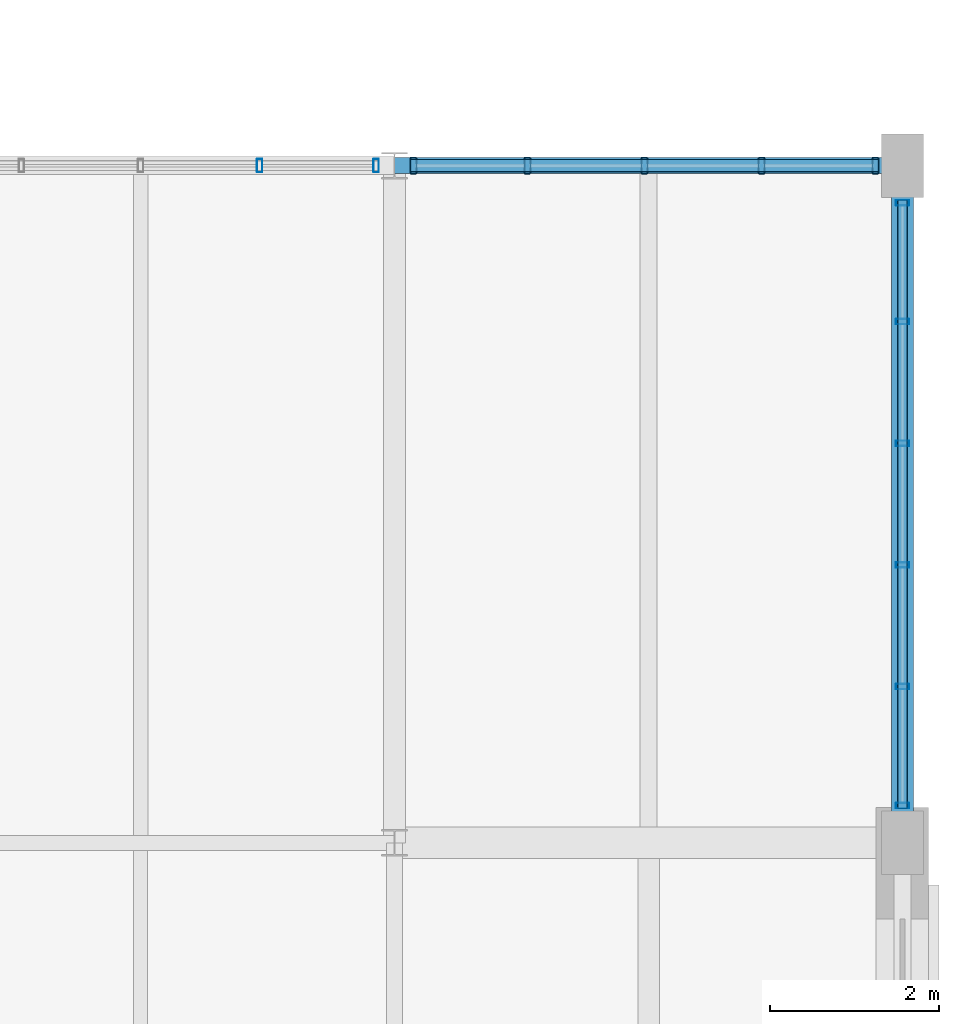
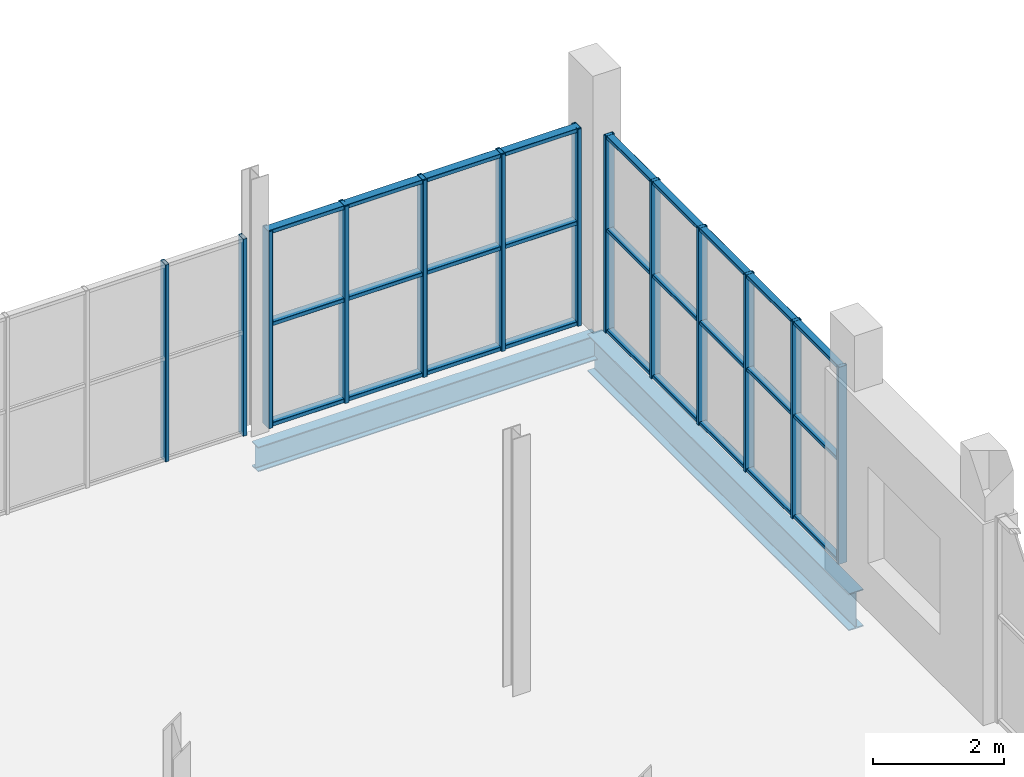
# One storey, part 80 of 114: 19 members, 2 beams, 3 elements without a shape of their own.
"""IFC4 building model written with IfcOpenShell, lengths in metres."""

from ifc_helpers import new_model, si_unit, direction, frame, origin, origin_2d, place, context, subcontext, project, spatial, hollow_rectangle, i_section, extrude, material, material_profile, profile_set, type_object, element, aggregate, save


model = new_model("IFC4")

# Units and contexts
model_context = context("Model", 3, precision=1e-05, world=origin(), true_north=direction((0.0, 1.0)))
body_context = subcontext(model_context, "Body", "Model", "MODEL_VIEW")
ifc_project = project(units=[si_unit("LENGTHUNIT", "METRE"), si_unit("AREAUNIT", "SQUARE_METRE"), si_unit("VOLUMEUNIT", "CUBIC_METRE"), si_unit("PLANEANGLEUNIT", "RADIAN"), si_unit("MASSUNIT", "GRAM", prefix="KILO")], contexts=[model_context])

# Site, building, storey
site_placement = place(None, origin())
site = spatial("IfcSite", under=ifc_project, at=site_placement, CompositionType="ELEMENT")
building_placement = place(site_placement, origin())
building = spatial("IfcBuilding", under=site, at=building_placement, Name="Verrall Gate Interchange", CompositionType="ELEMENT")
storey_placement = place(building_placement, frame((0.0, 0.0, 6.60009765625)))
storey = spatial("IfcBuildingStorey", under=building, at=storey_placement, Name="L02", CompositionType="ELEMENT", Elevation=6.60009765625)

# Beams
ifc_material_1 = material(Name="Structural Steel CSA G40.21 350WT Cat 4", Category="steel")
ifc_material_profile_1 = material_profile(ifc_material_1, i_section(OverallWidth=0.256103515625, OverallDepth=0.693115234375, WebThickness=0.01318359375, FlangeThickness=0.02001953125, FilletRadius=0.01611328125, at=origin_2d()), Name="W690x170")
ifc_profile_set_1 = profile_set([ifc_material_profile_1], Name="Structural Steel CSA G40.21 350WT Cat 4")
beam_type_1 = type_object("IfcBeamType", Name="B-07 Structural Beam W690x170", PredefinedType="BEAM", material=ifc_profile_set_1)
beam_1_placement = place(storey_placement, frame((168.0, 48.0, -0.626708984375), z_axis=(0.0, 1.0, 0.0), x_axis=(-1.0, 0.0, 0.0)))
element("IfcBeam", 1, at=beam_1_placement, inside=storey, type_object=beam_type_1, Name="L02 Girder BM-L02-1838 (B-07)", PredefinedType="BEAM", context=body_context, shape_type="SweptSolid", body=[
    extrude(i_section(OverallWidth=0.256103515625, OverallDepth=0.693115234375, WebThickness=0.01318359375, FlangeThickness=0.02001953125, FilletRadius=0.01611328125, at=origin_2d()), origin(), (0.0, 0.0, 1.0), 8.0),
])
ifc_material_2 = material(Name="Structural Steel CSA G40.21 350W", Category="steel")
ifc_material_profile_2 = material_profile(ifc_material_2, i_section(OverallWidth=0.19189453125, OverallDepth=0.462890625, WebThickness=0.010498046875, FlangeThickness=0.017578125, FilletRadius=0.012939453125, at=origin_2d()), Name="W460x89")
ifc_profile_set_2 = profile_set([ifc_material_profile_2], Name="Structural Steel CSA G40.21 350W")
beam_type_2 = type_object("IfcBeamType", Name="B-11 Structural Beam W460x89", PredefinedType="BEAM", material=ifc_profile_set_2)
beam_2_placement = place(storey_placement, frame((162.0, 56.0, -0.51171875), z_axis=(1.0, 0.0, 0.0), x_axis=(0.0, 1.0, 0.0)))
element("IfcBeam", 2, at=beam_2_placement, inside=storey, type_object=beam_type_2, Name="L02 Girder BM-L02-1609 (B-11)", PredefinedType="BEAM", context=body_context, shape_type="SweptSolid", body=[
    extrude(i_section(OverallWidth=0.19189453125, OverallDepth=0.462890625, WebThickness=0.010498046875, FlangeThickness=0.017578125, FilletRadius=0.012939453125, at=origin_2d()), origin(), (0.0, 0.0, 1.0), 6.0),
])

# Curtain wall, members
ifc_material_3 = material(Name="Thermally Broken Anodized Aluminium Curtain Wall Framing", Category="aluminium")
curtain_wall_type_1 = type_object("IfcCurtainWallType", Name="CW-26 Unitized Curtain Wall 7186x3680", PredefinedType="NOTDEFINED", material=ifc_material_3)
curtain_wall_1_placement = place(storey_placement, origin())
curtain_wall_1 = element("IfcCurtainWall", 3, at=curtain_wall_1_placement, inside=storey, type_object=curtain_wall_type_1, Name="L02 Unitized Curtain Wall CW-L02-094", PredefinedType="NOTDEFINED")
ifc_material_4 = material(Name="Thermally Broken Anodized Aluminium Curtain Wall Framing", Category="aluminium")
ifc_material_profile_3 = material_profile(ifc_material_4, hollow_rectangle(XDim=0.06494140625, YDim=0.159912109375, WallThickness=0.00390625, InnerFilletRadius=0.00390625, OuterFilletRadius=0.008056640625, at=origin_2d()), Name="CWM160x65x4")
ifc_profile_set_3 = profile_set([ifc_material_profile_3], Name="Thermally Broken Anodized Aluminium Curtain Wall Framing")
member_type_1 = type_object("IfcMemberType", Name="CM-01 Curtain Mullion CWM160x65x4", PredefinedType="MULLION", material=ifc_profile_set_3)
member_1_placement = place(storey_placement, frame((168.0, 48.439453125, 0.0), z_axis=(0.0, 0.0, 1.0), x_axis=(0.0, 1.0, 0.0)))
member_1 = element("IfcMember", 4, at=member_1_placement, type_object=member_type_1, Name="CW-L02-094 Mullion 1", PredefinedType="MULLION", context=body_context, shape_type="SweptSolid", body=[
    extrude(hollow_rectangle(XDim=0.06494140625, YDim=0.159912109375, WallThickness=0.00390625, InnerFilletRadius=0.00390625, OuterFilletRadius=0.008056640625, at=origin_2d()), origin(), (0.0, 0.0, 1.0), 3.679931640625),
])
member_2_placement = place(storey_placement, frame((168.0, 49.84423828125, 0.0), z_axis=(0.0, 0.0, 1.0), x_axis=(0.0, 1.0, 0.0)))
member_2 = element("IfcMember", 5, at=member_2_placement, type_object=member_type_1, Name="CW-L02-094 Mullion 2", PredefinedType="MULLION", context=body_context, shape_type="SweptSolid", body=[
    extrude(hollow_rectangle(XDim=0.06494140625, YDim=0.159912109375, WallThickness=0.00390625, InnerFilletRadius=0.00390625, OuterFilletRadius=0.008056640625, at=origin_2d()), origin(), (0.0, 0.0, 1.0), 3.679931640625),
])
member_3_placement = place(storey_placement, frame((168.0, 51.281494140625, 0.0), z_axis=(0.0, 0.0, 1.0), x_axis=(0.0, 1.0, 0.0)))
member_3 = element("IfcMember", 6, at=member_3_placement, type_object=member_type_1, Name="CW-L02-094 Mullion 3", PredefinedType="MULLION", context=body_context, shape_type="SweptSolid", body=[
    extrude(hollow_rectangle(XDim=0.06494140625, YDim=0.159912109375, WallThickness=0.00390625, InnerFilletRadius=0.00390625, OuterFilletRadius=0.008056640625, at=origin_2d()), origin(), (0.0, 0.0, 1.0), 3.679931640625),
])
member_4_placement = place(storey_placement, frame((168.0, 52.718505859375, 0.0), z_axis=(0.0, 0.0, 1.0), x_axis=(0.0, 1.0, 0.0)))
member_4 = element("IfcMember", 7, at=member_4_placement, type_object=member_type_1, Name="CW-L02-094 Mullion 4", PredefinedType="MULLION", context=body_context, shape_type="SweptSolid", body=[
    extrude(hollow_rectangle(XDim=0.06494140625, YDim=0.159912109375, WallThickness=0.00390625, InnerFilletRadius=0.00390625, OuterFilletRadius=0.008056640625, at=origin_2d()), origin(), (0.0, 0.0, 1.0), 3.679931640625),
])
member_5_placement = place(storey_placement, frame((168.0, 54.15576171875, 0.0), z_axis=(0.0, 0.0, 1.0), x_axis=(0.0, 1.0, 0.0)))
member_5 = element("IfcMember", 8, at=member_5_placement, type_object=member_type_1, Name="CW-L02-094 Mullion 5", PredefinedType="MULLION", context=body_context, shape_type="SweptSolid", body=[
    extrude(hollow_rectangle(XDim=0.06494140625, YDim=0.159912109375, WallThickness=0.00390625, InnerFilletRadius=0.00390625, OuterFilletRadius=0.008056640625, at=origin_2d()), origin(), (0.0, 0.0, 1.0), 3.679931640625),
])
member_6_placement = place(storey_placement, frame((168.0, 55.560546875, 0.0), z_axis=(0.0, 0.0, 1.0), x_axis=(0.0, 1.0, 0.0)))
member_6 = element("IfcMember", 9, at=member_6_placement, type_object=member_type_1, Name="CW-L02-094 Mullion 6", PredefinedType="MULLION", context=body_context, shape_type="SweptSolid", body=[
    extrude(hollow_rectangle(XDim=0.06494140625, YDim=0.159912109375, WallThickness=0.00390625, InnerFilletRadius=0.00390625, OuterFilletRadius=0.008056640625, at=origin_2d()), origin(), (0.0, 0.0, 1.0), 3.679931640625),
])

ifc_material_5 = material(Name="Thermally Broken Anodized Aluminium Curtain Wall Framing", Category="aluminium")
curtain_wall_type_2 = type_object("IfcCurtainWallType", Name="CW-28 Unitized Curtain Wall 5629x3680", PredefinedType="NOTDEFINED", material=ifc_material_5)
curtain_wall_2_placement = place(storey_placement, origin())
curtain_wall_2 = element("IfcCurtainWall", 10, at=curtain_wall_2_placement, inside=storey, type_object=curtain_wall_type_2, Name="L02 Unitized Curtain Wall CW-L02-096", PredefinedType="NOTDEFINED")
member_7_placement = place(storey_placement, frame((161.781982421875, 56.0, 0.0), z_axis=(0.0, 0.0, 1.0), x_axis=(-1.0, 0.0, 0.0)))
member_7 = element("IfcMember", 11, at=member_7_placement, type_object=member_type_1, Name="CW-L02-096 Mullion 1", PredefinedType="MULLION", context=body_context, shape_type="SweptSolid", body=[
    extrude(hollow_rectangle(XDim=0.06494140625, YDim=0.159912109375, WallThickness=0.00390625, InnerFilletRadius=0.00390625, OuterFilletRadius=0.008056640625, at=origin_2d()), origin(), (0.0, 0.0, 1.0), 3.679931640625),
])
member_8_placement = place(storey_placement, frame((160.4072265625, 56.0, 0.0), z_axis=(0.0, 0.0, 1.0), x_axis=(-1.0, 0.0, 0.0)))
member_8 = element("IfcMember", 12, at=member_8_placement, type_object=member_type_1, Name="CW-L02-096 Mullion 2", PredefinedType="MULLION", context=body_context, shape_type="SweptSolid", body=[
    extrude(hollow_rectangle(XDim=0.06494140625, YDim=0.159912109375, WallThickness=0.00390625, InnerFilletRadius=0.00390625, OuterFilletRadius=0.008056640625, at=origin_2d()), origin(), (0.0, 0.0, 1.0), 3.679931640625),
])
aggregate(curtain_wall_2, [member_7, member_8])

ifc_material_6 = material(Name="Thermally Broken Anodized Aluminium Curtain Wall Framing", Category="aluminium")
curtain_wall_type_3 = type_object("IfcCurtainWallType", Name="CW-27 Unitized Curtain Wall 5532x3680", PredefinedType="NOTDEFINED", material=ifc_material_6)
curtain_wall_3_placement = place(storey_placement, origin())
curtain_wall_3 = element("IfcCurtainWall", 13, at=curtain_wall_3_placement, inside=storey, type_object=curtain_wall_type_3, Name="L02 Unitized Curtain Wall CW-L02-095", PredefinedType="NOTDEFINED")
ifc_material_7 = material(Name="Thermally Broken Anodized Aluminium Curtain Wall Framing", Category="aluminium")
ifc_material_profile_4 = material_profile(ifc_material_7, hollow_rectangle(XDim=0.074951171875, YDim=0.199951171875, WallThickness=0.0048828125, InnerFilletRadius=0.0048828125, OuterFilletRadius=0.010009765625, at=origin_2d()), Name="CWM200x75x5")
ifc_profile_set_4 = profile_set([ifc_material_profile_4], Name="Thermally Broken Anodized Aluminium Curtain Wall Framing")
member_type_2 = type_object("IfcMemberType", Name="CM-02 Curtain Mullion CWM200x75x5", PredefinedType="MULLION", material=ifc_profile_set_4)
member_9_placement = place(storey_placement, frame((167.680419921875, 56.0, 0.0), z_axis=(0.0, 0.0, 1.0), x_axis=(-1.0, 0.0, 0.0)))
member_9 = element("IfcMember", 14, at=member_9_placement, type_object=member_type_2, Name="CW-L02-095 Mullion 1", PredefinedType="MULLION", context=body_context, shape_type="SweptSolid", body=[
    extrude(hollow_rectangle(XDim=0.074951171875, YDim=0.199951171875, WallThickness=0.0048828125, InnerFilletRadius=0.0048828125, OuterFilletRadius=0.010009765625, at=origin_2d()), origin(), (0.0, 0.0, 1.0), 3.679931640625),
])
member_10_placement = place(storey_placement, frame((166.3349609375, 56.0, 0.0), z_axis=(0.0, 0.0, 1.0), x_axis=(-1.0, 0.0, 0.0)))
member_10 = element("IfcMember", 15, at=member_10_placement, type_object=member_type_2, Name="CW-L02-095 Mullion 2", PredefinedType="MULLION", context=body_context, shape_type="SweptSolid", body=[
    extrude(hollow_rectangle(XDim=0.074951171875, YDim=0.199951171875, WallThickness=0.0048828125, InnerFilletRadius=0.0048828125, OuterFilletRadius=0.010009765625, at=origin_2d()), origin(), (0.0, 0.0, 1.0), 3.679931640625),
])
member_11_placement = place(storey_placement, frame((164.951904296875, 56.0, 0.0), z_axis=(0.0, 0.0, 1.0), x_axis=(-1.0, 0.0, 0.0)))
member_11 = element("IfcMember", 16, at=member_11_placement, type_object=member_type_2, Name="CW-L02-095 Mullion 3", PredefinedType="MULLION", context=body_context, shape_type="SweptSolid", body=[
    extrude(hollow_rectangle(XDim=0.074951171875, YDim=0.199951171875, WallThickness=0.0048828125, InnerFilletRadius=0.0048828125, OuterFilletRadius=0.010009765625, at=origin_2d()), origin(), (0.0, 0.0, 1.0), 3.679931640625),
])
member_12_placement = place(storey_placement, frame((163.568603515625, 56.0, 0.0), z_axis=(0.0, 0.0, 1.0), x_axis=(-1.0, 0.0, 0.0)))
member_12 = element("IfcMember", 17, at=member_12_placement, type_object=member_type_2, Name="CW-L02-095 Mullion 4", PredefinedType="MULLION", context=body_context, shape_type="SweptSolid", body=[
    extrude(hollow_rectangle(XDim=0.074951171875, YDim=0.199951171875, WallThickness=0.0048828125, InnerFilletRadius=0.0048828125, OuterFilletRadius=0.010009765625, at=origin_2d()), origin(), (0.0, 0.0, 1.0), 3.679931640625),
])
member_13_placement = place(storey_placement, frame((162.222900390625, 56.0, 0.0), z_axis=(0.0, 0.0, 1.0), x_axis=(-1.0, 0.0, 0.0)))
member_13 = element("IfcMember", 18, at=member_13_placement, type_object=member_type_2, Name="CW-L02-095 Mullion 5", PredefinedType="MULLION", context=body_context, shape_type="SweptSolid", body=[
    extrude(hollow_rectangle(XDim=0.074951171875, YDim=0.199951171875, WallThickness=0.0048828125, InnerFilletRadius=0.0048828125, OuterFilletRadius=0.010009765625, at=origin_2d()), origin(), (0.0, 0.0, 1.0), 3.679931640625),
])

# Member
ifc_material_8 = material(Name="Thermally Broken Anodized Aluminium Curtain Wall Framing", Category="aluminium")
ifc_material_profile_5 = material_profile(ifc_material_8, hollow_rectangle(XDim=0.1201171875, YDim=0.06494140625, WallThickness=0.00390625, InnerFilletRadius=0.00390625, OuterFilletRadius=0.008056640625, at=origin_2d()), Name="CWT120x65x4")
ifc_profile_set_5 = profile_set([ifc_material_profile_5], Name="Thermally Broken Anodized Aluminium Curtain Wall Framing")
member_type_3 = type_object("IfcMemberType", Name="CT-01 Curtain Transom CWT120x65x4", PredefinedType="USERDEFINED", material=ifc_profile_set_5)
member_14_placement = place(storey_placement, frame((168.0, 48.406982421875, 0.032470703125), z_axis=(0.0, 1.0, 0.0), x_axis=(-1.0, 0.0, 0.0)))
member_14 = element("IfcMember", 19, at=member_14_placement, type_object=member_type_3, Name="CW-L02-094 Transom 1", ObjectType="TRANSOM", PredefinedType="USERDEFINED", context=body_context, shape_type="SweptSolid", body=[
    extrude(hollow_rectangle(XDim=0.1201171875, YDim=0.06494140625, WallThickness=0.00390625, InnerFilletRadius=0.00390625, OuterFilletRadius=0.008056640625, at=origin_2d()), origin(), (0.0, 0.0, 1.0), 7.18603515625),
])

member_15_placement = place(storey_placement, frame((168.0, 48.406982421875, 1.91357421875), z_axis=(0.0, 1.0, 0.0), x_axis=(-1.0, 0.0, 0.0)))
member_15 = element("IfcMember", 20, at=member_15_placement, type_object=member_type_3, Name="CW-L02-094 Transom 2", ObjectType="TRANSOM", PredefinedType="USERDEFINED", context=body_context, shape_type="SweptSolid", body=[
    extrude(hollow_rectangle(XDim=0.1201171875, YDim=0.06494140625, WallThickness=0.00390625, InnerFilletRadius=0.00390625, OuterFilletRadius=0.008056640625, at=origin_2d()), origin(), (0.0, 0.0, 1.0), 7.18603515625),
])

member_16_placement = place(storey_placement, frame((168.0, 48.406982421875, 3.6474609375), z_axis=(0.0, 1.0, 0.0), x_axis=(-1.0, 0.0, 0.0)))
member_16 = element("IfcMember", 21, at=member_16_placement, type_object=member_type_3, Name="CW-L02-094 Transom 3", ObjectType="TRANSOM", PredefinedType="USERDEFINED", context=body_context, shape_type="SweptSolid", body=[
    extrude(hollow_rectangle(XDim=0.1201171875, YDim=0.06494140625, WallThickness=0.00390625, InnerFilletRadius=0.00390625, OuterFilletRadius=0.008056640625, at=origin_2d()), origin(), (0.0, 0.0, 1.0), 7.18603515625),
])

aggregate(curtain_wall_1, [member_1, member_2, member_3, member_4, member_5, member_6, member_14, member_15, member_16])

ifc_material_9 = material(Name="Thermally Broken Anodized Aluminium Curtain Wall Framing", Category="aluminium")
ifc_material_profile_6 = material_profile(ifc_material_9, hollow_rectangle(XDim=0.14990234375, YDim=0.074951171875, WallThickness=0.00439453125, InnerFilletRadius=0.00439453125, OuterFilletRadius=0.009033203125, at=origin_2d()), Name="CWT150x75x4.5")
ifc_profile_set_6 = profile_set([ifc_material_profile_6], Name="Thermally Broken Anodized Aluminium Curtain Wall Framing")
member_type_4 = type_object("IfcMemberType", Name="CT-02 Curtain Transom CWT150x75x4.5", PredefinedType="USERDEFINED", material=ifc_profile_set_6)
member_17_placement = place(storey_placement, frame((167.718017578125, 56.0, 0.037353515625), z_axis=(-1.0, 0.0, 0.0), x_axis=(0.0, -1.0, 0.0)))
member_17 = element("IfcMember", 22, at=member_17_placement, type_object=member_type_4, Name="CW-L02-095 Transom 1", ObjectType="TRANSOM", PredefinedType="USERDEFINED", context=body_context, shape_type="SweptSolid", body=[
    extrude(hollow_rectangle(XDim=0.14990234375, YDim=0.074951171875, WallThickness=0.00439453125, InnerFilletRadius=0.00439453125, OuterFilletRadius=0.009033203125, at=origin_2d()), origin(), (0.0, 0.0, 1.0), 5.532470703125),
])

member_18_placement = place(storey_placement, frame((167.718017578125, 56.0, 1.91357421875), z_axis=(-1.0, 0.0, 0.0), x_axis=(0.0, -1.0, 0.0)))
member_18 = element("IfcMember", 23, at=member_18_placement, type_object=member_type_4, Name="CW-L02-095 Transom 2", ObjectType="TRANSOM", PredefinedType="USERDEFINED", context=body_context, shape_type="SweptSolid", body=[
    extrude(hollow_rectangle(XDim=0.14990234375, YDim=0.074951171875, WallThickness=0.00439453125, InnerFilletRadius=0.00439453125, OuterFilletRadius=0.009033203125, at=origin_2d()), origin(), (0.0, 0.0, 1.0), 5.532470703125),
])

member_19_placement = place(storey_placement, frame((167.718017578125, 56.0, 3.642333984375), z_axis=(-1.0, 0.0, 0.0), x_axis=(0.0, -1.0, 0.0)))
member_19 = element("IfcMember", 24, at=member_19_placement, type_object=member_type_4, Name="CW-L02-095 Transom 3", ObjectType="TRANSOM", PredefinedType="USERDEFINED", context=body_context, shape_type="SweptSolid", body=[
    extrude(hollow_rectangle(XDim=0.14990234375, YDim=0.074951171875, WallThickness=0.00439453125, InnerFilletRadius=0.00439453125, OuterFilletRadius=0.009033203125, at=origin_2d()), origin(), (0.0, 0.0, 1.0), 5.532470703125),
])

aggregate(curtain_wall_3, [member_9, member_10, member_11, member_12, member_13, member_17, member_18, member_19])

save(model, "model.ifc")
